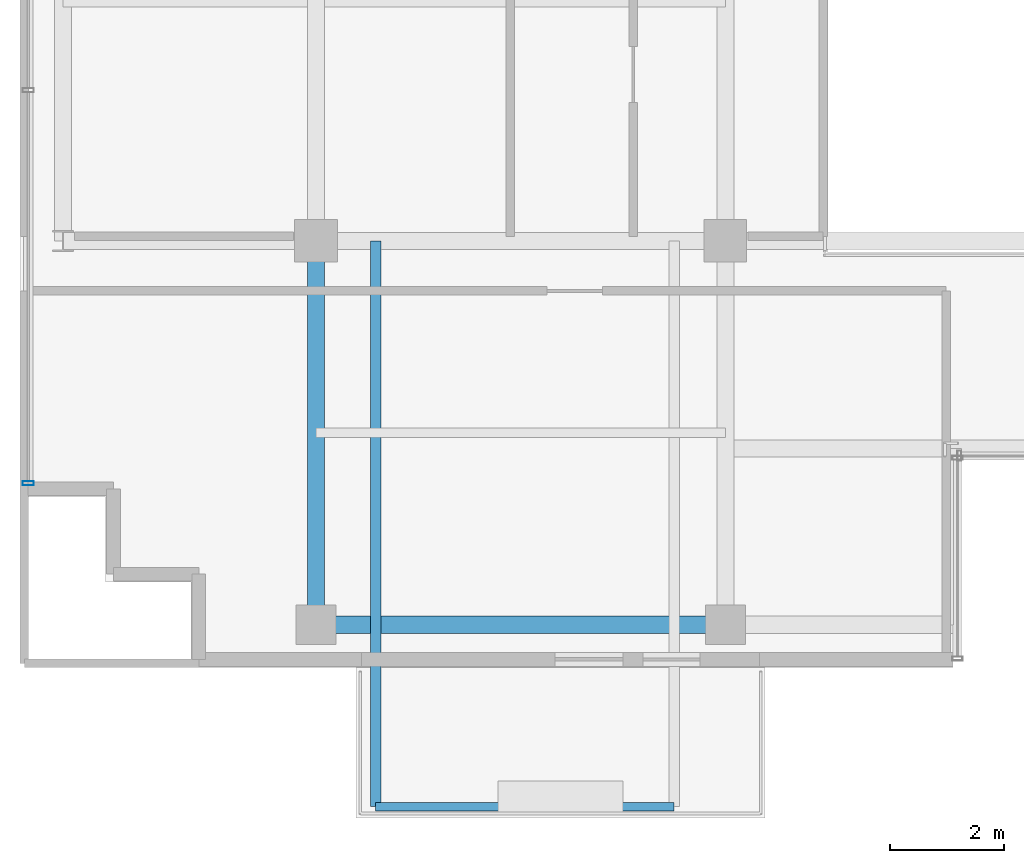
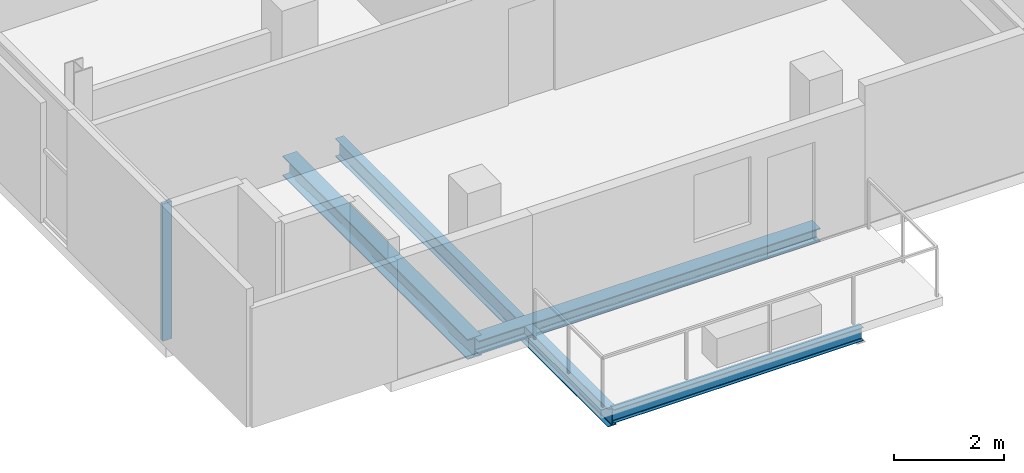
# One storey, part 2 of 22: 4 beams, 1 member, 1 element without a shape of its own.
"""IFC4 building model written with IfcOpenShell, lengths in metres."""

from ifc_helpers import new_model, si_unit, direction, frame, origin, origin_2d, place, context, subcontext, project, spatial, hollow_rectangle, i_section, extrude, source, transform, mapped, material, layer, layer_set, material_profile, profile_set, type_object, element, aggregate, save


model = new_model("IFC4")

# Units and contexts
model_context = context("Model", 3, precision=1e-05, world=origin(), true_north=direction((0.0, 1.0)))
body_context = subcontext(model_context, "Body", "Model", "MODEL_VIEW")
ifc_project = project(units=[si_unit("LENGTHUNIT", "METRE"), si_unit("AREAUNIT", "SQUARE_METRE"), si_unit("VOLUMEUNIT", "CUBIC_METRE"), si_unit("PLANEANGLEUNIT", "RADIAN"), si_unit("MASSUNIT", "GRAM", prefix="KILO")], contexts=[model_context])

# Site, building, storey
site_placement = place(None, origin())
site = spatial("IfcSite", under=ifc_project, at=site_placement, CompositionType="ELEMENT")
building_placement = place(site_placement, origin())
building = spatial("IfcBuilding", under=site, at=building_placement, Name="Zarnakvel Exchange Tower", CompositionType="ELEMENT")
storey_placement = place(building_placement, frame((0.0, 0.0, 245.199951171875)))
storey = spatial("IfcBuildingStorey", under=building, at=storey_placement, Name="L69", CompositionType="ELEMENT", Elevation=245.199951171875)

# Beams
ifc_material_1 = material(Name="Steel S355", Category="steel")
ifc_material_profile_1 = material_profile(ifc_material_1, i_section(OverallWidth=0.179931640625, OverallDepth=0.39990234375, WebThickness=0.008544921875, FlangeThickness=0.013427734375, FilletRadius=0.02099609375, at=origin_2d()))
ifc_profile_set_1 = profile_set([ifc_material_profile_1], Name="Steel S355")
beam_type_1 = type_object("IfcBeamType", Name="B-06", PredefinedType="JOIST", material=ifc_profile_set_1)
beam_1_placement = place(storey_placement, frame((-13.35009765625, -9.60009765625, -0.425048828125), z_axis=(0.0, -1.0, 0.0), x_axis=(1.0, 0.0, 0.0)))
element("IfcBeam", 1, at=beam_1_placement, inside=storey, type_object=beam_type_1, Name="L69 Continuous Back-Spanned Balcony Beam W", PredefinedType="JOIST", context=body_context, shape_type="SweptSolid", body=[
    extrude(i_section(OverallWidth=0.179931640625, OverallDepth=0.39990234375, WebThickness=0.008544921875, FlangeThickness=0.013427734375, FilletRadius=0.02099609375, at=origin_2d()), origin(), (0.0, 0.0, 1.0), 9.949951171875),
])
ifc_material_profile_2 = material_profile(ifc_material_1, i_section(OverallWidth=0.14990234375, OverallDepth=0.300048828125, WebThickness=0.007080078125, FlangeThickness=0.0107421875, FilletRadius=0.014892578125, at=origin_2d()))
ifc_profile_set_2 = profile_set([ifc_material_profile_2], Name="Steel S355")
beam_type_2 = type_object("IfcBeamType", Name="B-08", PredefinedType="JOIST", material=ifc_profile_set_2)
beam_2_placement = place(storey_placement, frame((-13.35009765625, -19.550048828125, -0.375), z_axis=(1.0, 0.0, 0.0), x_axis=(0.0, 1.0, 0.0)))
element("IfcBeam", 2, at=beam_2_placement, inside=storey, type_object=beam_type_2, Name="L69 Balcony Edge Beam", PredefinedType="JOIST", context=body_context, shape_type="SweptSolid", body=[
    extrude(i_section(OverallWidth=0.14990234375, OverallDepth=0.300048828125, WebThickness=0.007080078125, FlangeThickness=0.0107421875, FilletRadius=0.014892578125, at=origin_2d()), origin(), (0.0, 0.0, 1.0), 5.25),
])
ifc_material_profile_3 = material_profile(ifc_material_1, i_section(OverallWidth=0.300048828125, OverallDepth=0.449951171875, WebThickness=0.013916015625, FlangeThickness=0.02587890625, FilletRadius=0.027099609375, at=origin_2d()))
ifc_profile_set_3 = profile_set([ifc_material_profile_3], Name="Steel S355")
beam_type_3 = type_object("IfcBeamType", Name="G-07", PredefinedType="BEAM", material=ifc_profile_set_3)
beam_3_placement = place(storey_placement, frame((-14.39990234375, -16.35009765625, -0.449951171875), z_axis=(0.0, 1.0, 0.0), x_axis=(-1.0, 0.0, 0.0)))
element("IfcBeam", 3, at=beam_3_placement, inside=storey, type_object=beam_type_3, Name="L69 Tower N-S Frame Beam", PredefinedType="BEAM", context=body_context, shape_type="SweptSolid", body=[
    extrude(i_section(OverallWidth=0.300048828125, OverallDepth=0.449951171875, WebThickness=0.013916015625, FlangeThickness=0.02587890625, FilletRadius=0.027099609375, at=origin_2d()), origin(), (0.0, 0.0, 1.0), 6.75),
])
ifc_material_profile_4 = material_profile(ifc_material_1, i_section(OverallWidth=0.300048828125, OverallDepth=0.300048828125, WebThickness=0.010986328125, FlangeThickness=0.01904296875, FilletRadius=0.027099609375, at=origin_2d()))
ifc_profile_set_4 = profile_set([ifc_material_profile_4], Name="Steel S355")
beam_type_4 = type_object("IfcBeamType", Name="SP-03", PredefinedType="SPANDREL", material=ifc_profile_set_4)
beam_4_placement = place(storey_placement, frame((-14.39990234375, -16.35009765625, -0.375), z_axis=(1.0, 0.0, 0.0), x_axis=(0.0, 1.0, 0.0)))
element("IfcBeam", 4, at=beam_4_placement, inside=storey, type_object=beam_type_4, Name="L69 Tower E-W Frame Beam", PredefinedType="SPANDREL", context=body_context, shape_type="SweptSolid", body=[
    extrude(i_section(OverallWidth=0.300048828125, OverallDepth=0.300048828125, WebThickness=0.010986328125, FlangeThickness=0.01904296875, FilletRadius=0.027099609375, at=origin_2d()), origin(), (0.0, 0.0, 1.0), 7.199951171875),
])

# Curtain wall, member
ifc_material_2 = material(Name="Architectural Bronze Anodised Aluminium", Category="aluminium")
ifc_layer = layer(ifc_material_2, 0.199951171875)
ifc_layer_set = layer_set([ifc_layer], Name="Architectural Bronze Anodised Aluminium")
curtain_wall_type = type_object("IfcCurtainWallType", Name="CW-04", PredefinedType="NOTDEFINED", material=ifc_layer_set)
curtain_wall_placement = place(storey_placement, origin())
curtain_wall = element("IfcCurtainWall", 5, at=curtain_wall_placement, inside=storey, type_object=curtain_wall_type, Name="L69 Curtain Wall CW-L69-W1 (CW-04)", PredefinedType="NOTDEFINED")
ifc_material_profile_5 = material_profile(ifc_material_2, hollow_rectangle(XDim=0.199951171875, YDim=0.074951171875, WallThickness=0.0048828125, at=origin_2d()))
ifc_profile_set_5 = profile_set([ifc_material_profile_5], Name="Architectural Bronze Anodised Aluminium")
member_type = type_object("IfcMemberType", Name="CWM-04", PredefinedType="MULLION", material=ifc_profile_set_5)
shared_shape = source(origin(), body_context, "Body", "SweptSolid", [
    extrude(hollow_rectangle(XDim=0.199951171875, YDim=0.074951171875, WallThickness=0.0048828125, at=origin_2d()), origin(), (0.0, 0.0, 1.0), 3.054931640625),
])
member_placement = place(storey_placement, frame((-19.4599609375, -13.862548828125, 0.0), z_axis=(0.0, 0.0, 1.0), x_axis=(-1.0, 0.0, 0.0)))
member = element("IfcMember", 6, at=member_placement, type_object=member_type, Name="CW-04 mullion 1", PredefinedType="MULLION", context=body_context, shape_type="MappedRepresentation", body=[
    mapped(shared_shape, transform((0.0, 0.0, 0.0), x_axis=(1.0, 0.0, 0.0), y_axis=(0.0, 1.0, 0.0), z_axis=(0.0, 0.0, 1.0), scale=1.0)),
])
aggregate(curtain_wall, [member])

save(model, "model.ifc")
